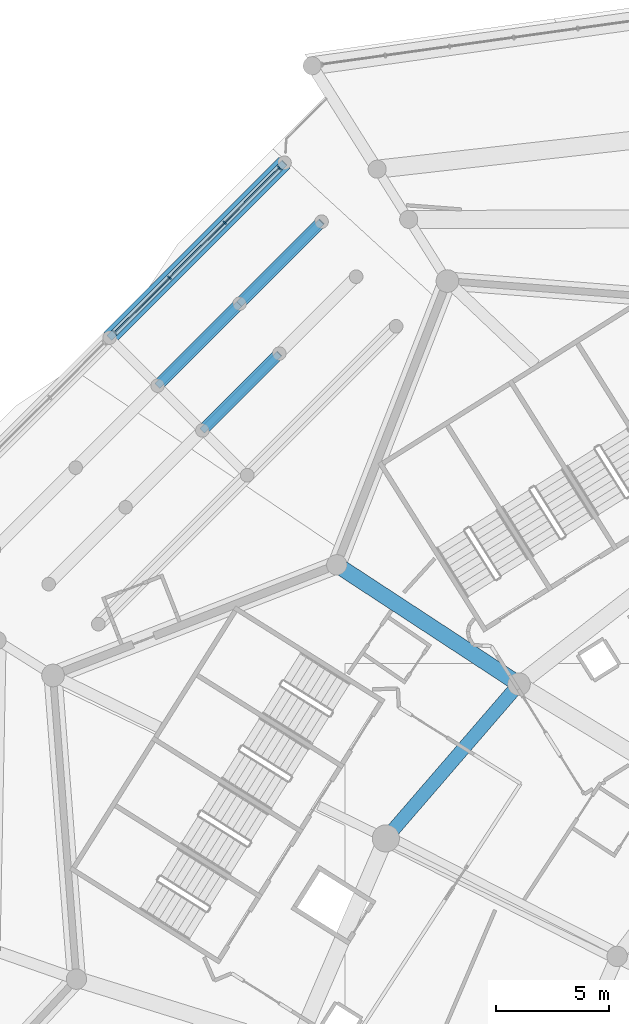
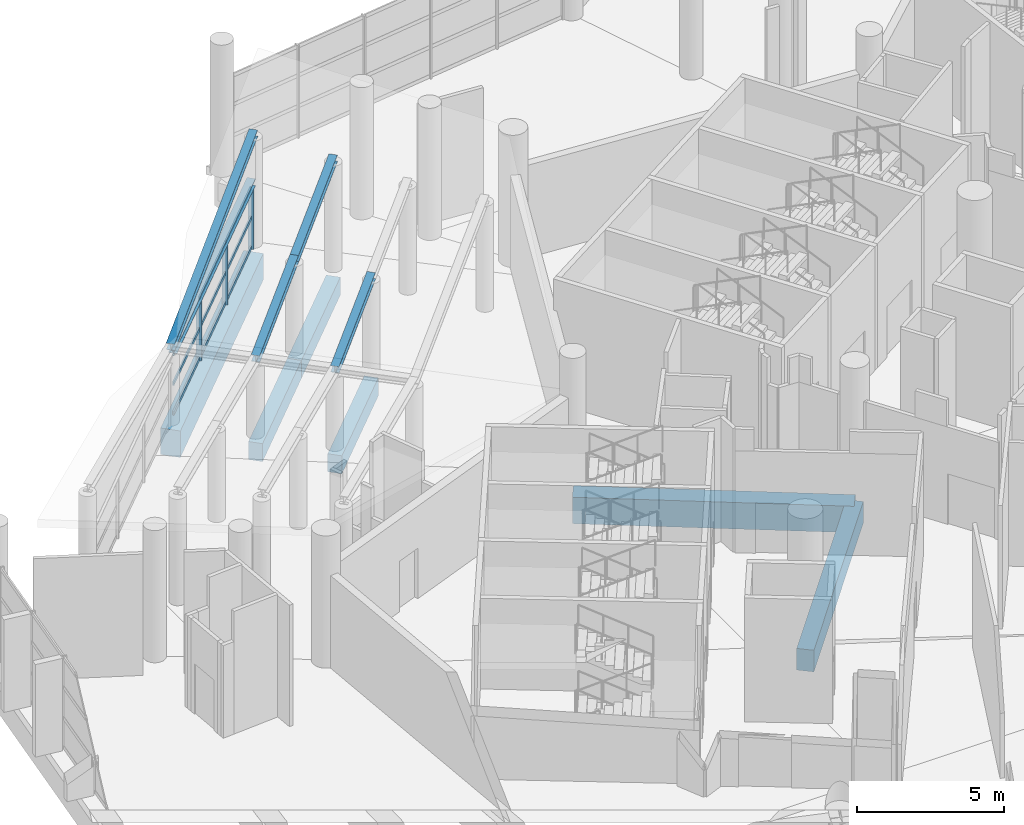
# One storey, part 79 of 271: 12 members, 11 beams, 1 element without a shape of its own.
"""IFC4 building model written with IfcOpenShell, lengths in metres."""

from ifc_helpers import new_model, si_unit, direction, frame, origin, origin_2d, place, context, subcontext, project, spatial, rectangle, i_section, extrude, material, layer, layer_set, material_profile, profile_set, type_object, element, aggregate, save


model = new_model("IFC4")

# Units and contexts
model_context = context("Model", 3, precision=1e-05, world=origin(), true_north=direction((0.0, 1.0)))
body_context = subcontext(model_context, "Body", "Model", "MODEL_VIEW")
ifc_project = project(units=[si_unit("LENGTHUNIT", "METRE"), si_unit("AREAUNIT", "SQUARE_METRE"), si_unit("VOLUMEUNIT", "CUBIC_METRE"), si_unit("PLANEANGLEUNIT", "RADIAN"), si_unit("MASSUNIT", "GRAM", prefix="KILO")], contexts=[model_context])

# Site, building, storey
site_placement = place(None, origin())
site = spatial("IfcSite", under=ifc_project, at=site_placement, CompositionType="ELEMENT")
building_placement = place(site_placement, origin())
building = spatial("IfcBuilding", under=site, at=building_placement, Name="Meseta Stadium", CompositionType="ELEMENT")
storey_placement = place(building_placement, frame((0.0, 0.0, 6.5)))
storey = spatial("IfcBuildingStorey", under=building, at=storey_placement, Name="L01", CompositionType="ELEMENT", Elevation=6.5)

# Beams
ifc_material_1 = material(Name="Steel S355", Category="steel")
ifc_material_profile_1 = material_profile(ifc_material_1, i_section(OverallWidth=0.300048828125, OverallDepth=0.300048828125, WebThickness=0.010986328125, FlangeThickness=0.01904296875, FilletRadius=0.027099609375, at=origin_2d()), Name="HEB 300")
ifc_profile_set_1 = profile_set([ifc_material_profile_1], Name="Steel S355")
beam_type_1 = type_object("IfcBeamType", Name="Gate roof beam HEB 300", PredefinedType="BEAM", material=ifc_profile_set_1)
beam_1_placement = place(storey_placement, frame((-82.88720703125, 101.925537109375, 2.774658203125), z_axis=(-0.707094968215, -0.707118593961, 0.0), x_axis=(0.707118593961, -0.707094968215, 0.0)))
element("IfcBeam", 1, at=beam_1_placement, inside=storey, type_object=beam_type_1, Name="Gate 4 head beam", PredefinedType="BEAM", context=body_context, shape_type="SweptSolid", body=[
    extrude(i_section(OverallWidth=0.300048828125, OverallDepth=0.300048828125, WebThickness=0.010986328125, FlangeThickness=0.01904296875, FilletRadius=0.027099609375, at=origin_2d()), origin(), (0.0, 0.0, 1.0), 10.333740234375),
])
ifc_material_2 = material(Name="Steel S355", Category="steel")
ifc_material_profile_2 = material_profile(ifc_material_2, i_section(OverallWidth=0.300048828125, OverallDepth=0.300048828125, WebThickness=0.010986328125, FlangeThickness=0.01904296875, FilletRadius=0.027099609375, at=origin_2d()), Name="HEB 300")
ifc_profile_set_2 = profile_set([ifc_material_profile_2], Name="Steel S355")
beam_type_2 = type_object("IfcBeamType", Name="Gate roof beam HEB 300 rafter", PredefinedType="BEAM", material=ifc_profile_set_2)
beam_2_placement = place(storey_placement, frame((-82.907470703125, 93.70263671875, 3.873291015625), z_axis=(-0.700304119063, -0.700253799014, -0.138631734427), x_axis=(0.707081375392, -0.707132186068, 0.0)))
element("IfcBeam", 2, at=beam_2_placement, inside=storey, type_object=beam_type_2, Name="Gate 4 roof rafter", PredefinedType="BEAM", context=body_context, shape_type="SweptSolid", body=[
    extrude(i_section(OverallWidth=0.300048828125, OverallDepth=0.300048828125, WebThickness=0.010986328125, FlangeThickness=0.01904296875, FilletRadius=0.027099609375, at=origin_2d()), origin(), (0.0, 0.0, 1.0), 4.851806640625),
])
for number, where, z_axis, x_axis, name in (
    (3, (-81.037841796875, 99.531982421875, 4.57958984375), (-0.700275376823, -0.700275376823, -0.138667924302), (0.707106781187, -0.707106781187, 0.0), "Gate 4 roof rafter"),
    (4, (-84.661376953125, 95.908447265625, 3.862060546875), (-0.700275376823, -0.700275376823, -0.138667924302), (0.707106781187, -0.707106781187, 0.0), "Gate 4 roof rafter"),
):
    element("IfcBeam", number, at=place(storey_placement, frame(where, z_axis=z_axis, x_axis=x_axis)), inside=storey, type_object=beam_type_2, Name=name, PredefinedType="BEAM", context=body_context, shape_type="SweptSolid", body=[
        extrude(i_section(OverallWidth=0.300048828125, OverallDepth=0.300048828125, WebThickness=0.010986328125, FlangeThickness=0.01904296875, FilletRadius=0.027099609375, at=origin_2d()), origin(), (0.0, 0.0, 1.0), 5.174560546875),
    ])
beam_3_placement = place(storey_placement, frame((-82.675048828125, 102.1376953125, 4.615478515625), z_axis=(-0.700265975424, -0.700288088854, -0.138651203648), x_axis=(0.707117945649, -0.707095616548, 0.0)))
element("IfcBeam", 5, at=beam_3_placement, inside=storey, type_object=beam_type_2, Name="Gate 4 roof rafter", PredefinedType="BEAM", context=body_context, shape_type="SweptSolid", body=[
    extrude(i_section(OverallWidth=0.300048828125, OverallDepth=0.300048828125, WebThickness=0.010986328125, FlangeThickness=0.01904296875, FilletRadius=0.027099609375, at=origin_2d()), origin(), (0.0, 0.0, 1.0), 11.040283203125),
])
ifc_material_3 = material(Name="Concrete C40/50", Category="concrete")
ifc_material_profile_3 = material_profile(ifc_material_3, rectangle(XDim=0.5, YDim=0.75, at=origin_2d()), Name="RC 500x750")
ifc_profile_set_3 = profile_set([ifc_material_profile_3], Name="Concrete C40/50")
beam_type_3 = type_object("IfcBeamType", Name="RC beam 500x750", PredefinedType="BEAM", material=ifc_profile_set_3)
beam_4_placement = place(storey_placement, frame((-82.907470703125, 93.70263671875, -0.72509765625), z_axis=(-0.707132186068, -0.707081375392, 0.0), x_axis=(0.707081375392, -0.707132186068, 0.0)))
element("IfcBeam", 6, at=beam_4_placement, inside=storey, type_object=beam_type_3, Name="Gate 4 floor beam", PredefinedType="BEAM", context=body_context, shape_type="SweptSolid", body=[
    extrude(rectangle(XDim=0.5, YDim=0.75, at=origin_2d()), origin(), (0.0, 0.0, 1.0), 4.804931640625),
])
for number, where, z_axis, x_axis, name in (
    (7, (-81.037841796875, 99.531982421875, -0.72509765625), (-0.707106781187, -0.707106781187, 0.0), (0.707106781187, -0.707106781187, 0.0), "Gate 4 floor beam"),
    (8, (-84.661376953125, 95.908447265625, -0.72509765625), (-0.707106781187, -0.707106781187, 0.0), (0.707106781187, -0.707106781187, 0.0), "Gate 4 floor beam"),
):
    element("IfcBeam", number, at=place(storey_placement, frame(where, z_axis=z_axis, x_axis=x_axis)), inside=storey, type_object=beam_type_3, Name=name, PredefinedType="BEAM", context=body_context, shape_type="SweptSolid", body=[
        extrude(rectangle(XDim=0.5, YDim=0.75, at=origin_2d()), origin(), (0.0, 0.0, 1.0), 5.12451171875),
    ])
ifc_material_4 = material(Name="Concrete C40/50", Category="concrete")
ifc_material_profile_4 = material_profile(ifc_material_4, rectangle(XDim=0.60009765625, YDim=0.89990234375, at=origin_2d()), Name="RC 600x900")
ifc_profile_set_4 = profile_set([ifc_material_profile_4], Name="Concrete C40/50")
beam_type_4 = type_object("IfcBeamType", Name="RC beam 600x900", PredefinedType="BEAM", material=ifc_profile_set_4)
beam_5_placement = place(storey_placement, frame((-72.31201171875, 79.091064453125, -0.800048828125), z_axis=(-0.653414508663, -0.757000316954, 0.0), x_axis=(0.757000316954, -0.653414508663, 0.0)))
element("IfcBeam", 9, at=beam_5_placement, inside=storey, type_object=beam_type_4, Name="L01 ring beam frame 25 line P", PredefinedType="BEAM", context=body_context, shape_type="SweptSolid", body=[
    extrude(rectangle(XDim=0.60009765625, YDim=0.89990234375, at=origin_2d()), origin(), (0.0, 0.0, 1.0), 9.008056640625),
])
ifc_material_5 = material(Name="Concrete C40/50", Category="concrete")
ifc_material_profile_5 = material_profile(ifc_material_5, rectangle(XDim=0.699951171875, YDim=1.10009765625, at=origin_2d()), Name="RC 700x1100")
ifc_profile_set_5 = profile_set([ifc_material_profile_5], Name="Concrete C40/50")
beam_type_5 = type_object("IfcBeamType", Name="RC beam 700x1100", PredefinedType="BEAM", material=ifc_profile_set_5)
beam_6_placement = place(storey_placement, frame((-72.31201171875, 79.091064453125, -0.89990234375), z_axis=(-0.836556122728, 0.547881240349, 0.0), x_axis=(-0.547881240349, -0.836556122728, 0.0)))
element("IfcBeam", 10, at=beam_6_placement, inside=storey, type_object=beam_type_5, Name="L01 radial beam frame 25 line P to R", PredefinedType="BEAM", context=body_context, shape_type="SweptSolid", body=[
    extrude(rectangle(XDim=0.699951171875, YDim=1.10009765625, at=origin_2d()), origin(), (0.0, 0.0, 1.0), 9.626953125),
])
beam_7_placement = place(storey_placement, frame((-82.675048828125, 102.1376953125, -0.89990234375), z_axis=(-0.707095616548, -0.707117945649, 0.0), x_axis=(0.707117945649, -0.707095616548, 0.0)))
element("IfcBeam", 11, at=beam_7_placement, inside=storey, type_object=beam_type_5, Name="Gate 4 floor beam", PredefinedType="BEAM", context=body_context, shape_type="SweptSolid", body=[
    extrude(rectangle(XDim=0.699951171875, YDim=1.10009765625, at=origin_2d()), origin(), (0.0, 0.0, 1.0), 10.933837890625),
])

# Curtain wall, members
ifc_material_6 = material(Name="Aluminium", Category="aluminium")
ifc_layer = layer(ifc_material_6, 0.199951171875)
ifc_layer_set = layer_set([ifc_layer], Name="Gate hall curtain wall")
curtain_wall_type = type_object("IfcCurtainWallType", Name="Gate hall curtain wall", PredefinedType="NOTDEFINED", material=ifc_layer_set)
curtain_wall_placement = place(storey_placement, origin())
curtain_wall = element("IfcCurtainWall", 12, at=curtain_wall_placement, inside=storey, type_object=curtain_wall_type, Name="Gate 4 hall glazing", PredefinedType="NOTDEFINED")
ifc_material_7 = material(Name="Aluminium", Category="aluminium")
ifc_material_profile_6 = material_profile(ifc_material_7, rectangle(XDim=0.199951171875, YDim=0.06005859375, at=origin_2d()), Name="CW 200x60")
ifc_profile_set_6 = profile_set([ifc_material_profile_6], Name="Aluminium")
member_type_1 = type_object("IfcMemberType", Name="Ring CW mullion 60x200", PredefinedType="MULLION", material=ifc_profile_set_6)
member_1_placement = place(storey_placement, frame((-87.758544921875, 97.05419921875, 0.0), z_axis=(0.0, 0.0, 1.0), x_axis=(-0.707111619692, 0.707101942648, 0.0)))
member_1 = element("IfcMember", 13, at=member_1_placement, type_object=member_type_1, Name="CWG1 mullion 2", PredefinedType="MULLION", context=body_context, shape_type="SweptSolid", body=[
    extrude(rectangle(XDim=0.199951171875, YDim=0.06005859375, at=origin_2d()), origin(), (0.0, 0.0, 1.0), 2.62451171875),
])
member_2_placement = place(storey_placement, frame((-85.32275390625, 99.48974609375, 0.0), z_axis=(0.0, 0.0, 1.0), x_axis=(-0.707111619692, 0.707101942648, 0.0)))
member_2 = element("IfcMember", 14, at=member_2_placement, type_object=member_type_1, Name="CWG1 mullion 3", PredefinedType="MULLION", context=body_context, shape_type="SweptSolid", body=[
    extrude(rectangle(XDim=0.199951171875, YDim=0.06005859375, at=origin_2d()), origin(), (0.0, 0.0, 1.0), 2.62451171875),
])
member_3_placement = place(storey_placement, frame((-82.908447265625, 101.904296875, 0.0), z_axis=(0.0, 0.0, 1.0), x_axis=(-0.707111619692, 0.707101942648, 0.0)))
member_3 = element("IfcMember", 15, at=member_3_placement, type_object=member_type_1, Name="CWG1 mullion 4", PredefinedType="MULLION", context=body_context, shape_type="SweptSolid", body=[
    extrude(rectangle(XDim=0.199951171875, YDim=0.06005859375, at=origin_2d()), origin(), (0.0, 0.0, 1.0), 2.62451171875),
])
ifc_material_8 = material(Name="Aluminium", Category="aluminium")
ifc_material_profile_7 = material_profile(ifc_material_8, rectangle(XDim=0.06005859375, YDim=0.14990234375, at=origin_2d()), Name="CW 60x150")
ifc_profile_set_7 = profile_set([ifc_material_profile_7], Name="Aluminium")
member_type_2 = type_object("IfcMemberType", Name="Ring CW transom 60x150", PredefinedType="USERDEFINED", material=ifc_profile_set_7)
member_4_placement = place(storey_placement, frame((-90.15185546875, 94.660888671875, 0.074951171875), z_axis=(0.707106781187, 0.707106781187, 0.0), x_axis=(-0.707106781187, 0.707106781187, 0.0)))
member_4 = element("IfcMember", 16, at=member_4_placement, type_object=member_type_2, Name="CWG1 transom 1.1", ObjectType="TRANSOM", PredefinedType="USERDEFINED", context=body_context, shape_type="SweptSolid", body=[
    extrude(rectangle(XDim=0.06005859375, YDim=0.14990234375, at=origin_2d()), origin(), (0.0, 0.0, 1.0), 3.3544921875),
])
member_5_placement = place(storey_placement, frame((-90.15185546875, 94.660888671875, 1.312255859375), z_axis=(0.707106781187, 0.707106781187, 0.0), x_axis=(-0.707106781187, 0.707106781187, 0.0)))
member_5 = element("IfcMember", 17, at=member_5_placement, type_object=member_type_2, Name="CWG1 transom 1.2", ObjectType="TRANSOM", PredefinedType="USERDEFINED", context=body_context, shape_type="SweptSolid", body=[
    extrude(rectangle(XDim=0.06005859375, YDim=0.14990234375, at=origin_2d()), origin(), (0.0, 0.0, 1.0), 3.3544921875),
])
member_6_placement = place(storey_placement, frame((-90.15185546875, 94.660888671875, 2.549560546875), z_axis=(0.707106781187, 0.707106781187, 0.0), x_axis=(-0.707106781187, 0.707106781187, 0.0)))
member_6 = element("IfcMember", 18, at=member_6_placement, type_object=member_type_2, Name="CWG1 transom 1.3", ObjectType="TRANSOM", PredefinedType="USERDEFINED", context=body_context, shape_type="SweptSolid", body=[
    extrude(rectangle(XDim=0.06005859375, YDim=0.14990234375, at=origin_2d()), origin(), (0.0, 0.0, 1.0), 3.3544921875),
])
member_7_placement = place(storey_placement, frame((-87.7373046875, 97.0751953125, 0.074951171875), z_axis=(0.707106781187, 0.707106781187, 0.0), x_axis=(-0.707106781187, 0.707106781187, 0.0)))
member_7 = element("IfcMember", 19, at=member_7_placement, type_object=member_type_2, Name="CWG1 transom 2.1", ObjectType="TRANSOM", PredefinedType="USERDEFINED", context=body_context, shape_type="SweptSolid", body=[
    extrude(rectangle(XDim=0.06005859375, YDim=0.14990234375, at=origin_2d()), origin(), (0.0, 0.0, 1.0), 3.384765625),
])
member_8_placement = place(storey_placement, frame((-87.7373046875, 97.0751953125, 1.312255859375), z_axis=(0.707106781187, 0.707106781187, 0.0), x_axis=(-0.707106781187, 0.707106781187, 0.0)))
member_8 = element("IfcMember", 20, at=member_8_placement, type_object=member_type_2, Name="CWG1 transom 2.2", ObjectType="TRANSOM", PredefinedType="USERDEFINED", context=body_context, shape_type="SweptSolid", body=[
    extrude(rectangle(XDim=0.06005859375, YDim=0.14990234375, at=origin_2d()), origin(), (0.0, 0.0, 1.0), 3.384765625),
])
member_9_placement = place(storey_placement, frame((-87.7373046875, 97.0751953125, 2.549560546875), z_axis=(0.707106781187, 0.707106781187, 0.0), x_axis=(-0.707106781187, 0.707106781187, 0.0)))
member_9 = element("IfcMember", 21, at=member_9_placement, type_object=member_type_2, Name="CWG1 transom 2.3", ObjectType="TRANSOM", PredefinedType="USERDEFINED", context=body_context, shape_type="SweptSolid", body=[
    extrude(rectangle(XDim=0.06005859375, YDim=0.14990234375, at=origin_2d()), origin(), (0.0, 0.0, 1.0), 3.384765625),
])
member_10_placement = place(storey_placement, frame((-85.3017578125, 99.510986328125, 0.074951171875), z_axis=(0.707106781187, 0.707106781187, 0.0), x_axis=(-0.707106781187, 0.707106781187, 0.0)))
member_10 = element("IfcMember", 22, at=member_10_placement, type_object=member_type_2, Name="CWG1 transom 3.1", ObjectType="TRANSOM", PredefinedType="USERDEFINED", context=body_context, shape_type="SweptSolid", body=[
    extrude(rectangle(XDim=0.06005859375, YDim=0.14990234375, at=origin_2d()), origin(), (0.0, 0.0, 1.0), 3.3544921875),
])
member_11_placement = place(storey_placement, frame((-85.3017578125, 99.510986328125, 1.312255859375), z_axis=(0.707106781187, 0.707106781187, 0.0), x_axis=(-0.707106781187, 0.707106781187, 0.0)))
member_11 = element("IfcMember", 23, at=member_11_placement, type_object=member_type_2, Name="CWG1 transom 3.2", ObjectType="TRANSOM", PredefinedType="USERDEFINED", context=body_context, shape_type="SweptSolid", body=[
    extrude(rectangle(XDim=0.06005859375, YDim=0.14990234375, at=origin_2d()), origin(), (0.0, 0.0, 1.0), 3.3544921875),
])
member_12_placement = place(storey_placement, frame((-85.3017578125, 99.510986328125, 2.549560546875), z_axis=(0.707106781187, 0.707106781187, 0.0), x_axis=(-0.707106781187, 0.707106781187, 0.0)))
member_12 = element("IfcMember", 24, at=member_12_placement, type_object=member_type_2, Name="CWG1 transom 3.3", ObjectType="TRANSOM", PredefinedType="USERDEFINED", context=body_context, shape_type="SweptSolid", body=[
    extrude(rectangle(XDim=0.06005859375, YDim=0.14990234375, at=origin_2d()), origin(), (0.0, 0.0, 1.0), 3.3544921875),
])
aggregate(curtain_wall, [member_1, member_2, member_3, member_4, member_5, member_6, member_7, member_8, member_9, member_10, member_11, member_12])

save(model, "model.ifc")
